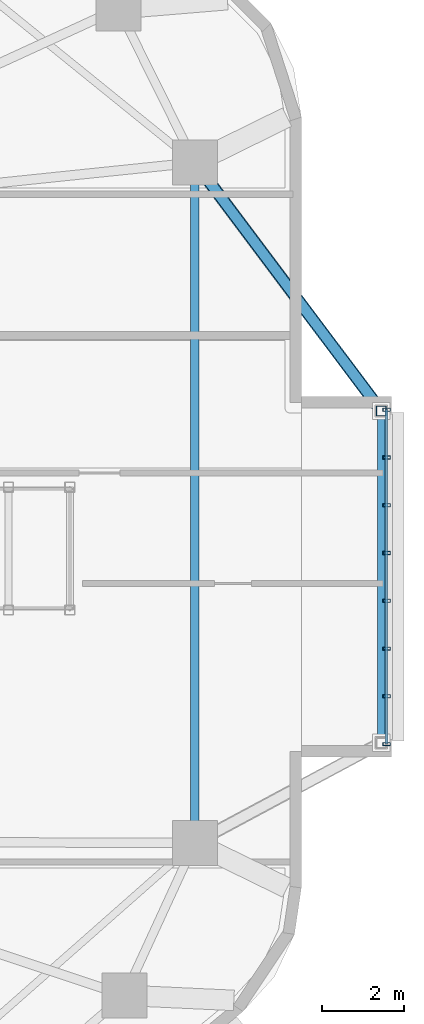
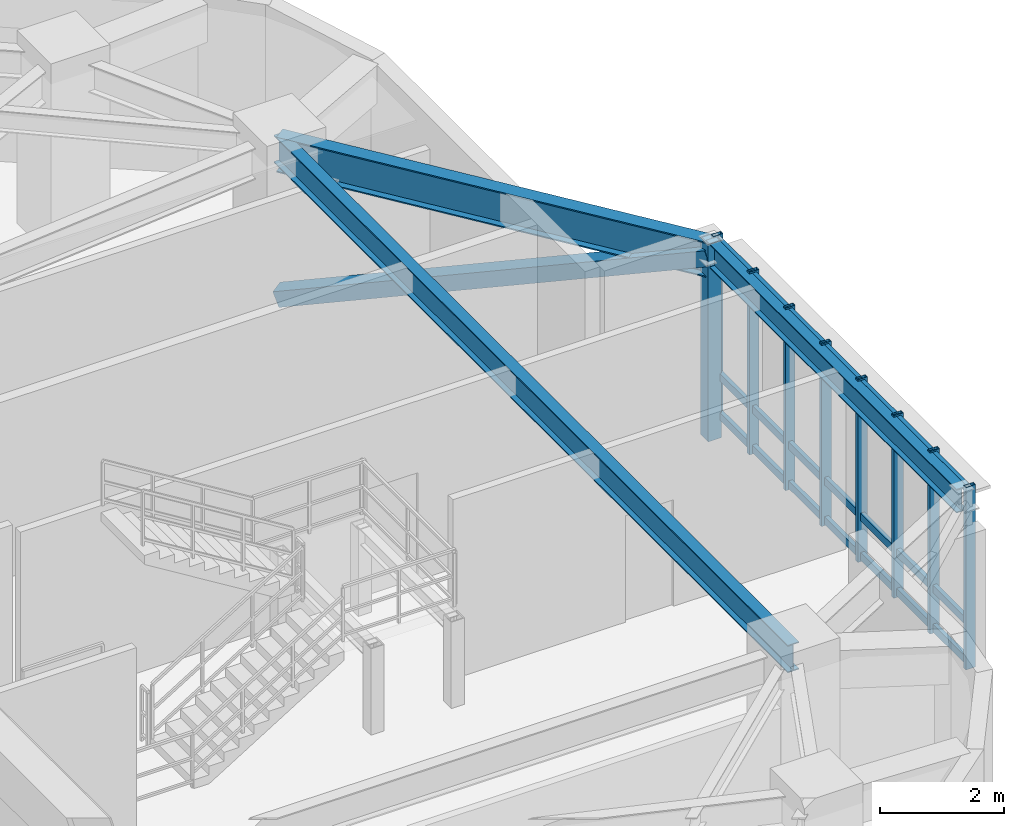
# One storey, part 6 of 16: 13 members, 3 beams, 1 element without a shape of its own.
"""IFC4 building model written with IfcOpenShell, lengths in metres."""

from ifc_helpers import new_model, si_unit, direction, frame, origin, origin_2d, place, context, subcontext, project, spatial, hollow_rectangle, i_section, extrude, material, material_profile, profile_set, type_object, element, aggregate, save


model = new_model("IFC4")

# Units and contexts
model_context = context("Model", 3, precision=1e-05, world=origin(), true_north=direction((0.0, 1.0)))
body_context = subcontext(model_context, "Body", "Model", "MODEL_VIEW")
ifc_project = project(units=[si_unit("LENGTHUNIT", "METRE"), si_unit("AREAUNIT", "SQUARE_METRE"), si_unit("VOLUMEUNIT", "CUBIC_METRE"), si_unit("PLANEANGLEUNIT", "RADIAN"), si_unit("MASSUNIT", "GRAM", prefix="KILO")], contexts=[model_context])

# Site, building, storey
site_placement = place(None, origin())
site = spatial("IfcSite", under=ifc_project, at=site_placement, CompositionType="ELEMENT")
building_placement = place(site_placement, origin())
building = spatial("IfcBuilding", under=site, at=building_placement, Name="Zulverin Broadcast Headquarters", CompositionType="ELEMENT")
storey_placement = place(building_placement, frame((0.0, 0.0, 125.0)))
storey = spatial("IfcBuildingStorey", under=building, at=storey_placement, Name="L31", CompositionType="ELEMENT", Elevation=125.0)

# Beams
ifc_material_1 = material(Name="Structural steel S355JR", Category="steel")
ifc_material_profile_1 = material_profile(ifc_material_1, i_section(OverallWidth=0.19287109375, OverallDepth=0.46728515625, WebThickness=0.011474609375, FlangeThickness=0.01953125, at=origin_2d()), Name="Structural steel S355JR", Category="steel")
ifc_profile_set_1 = profile_set([ifc_material_profile_1], Name="Structural steel S355JR")
beam_type_1 = type_object("IfcBeamType", Name="BM-UB-457", PredefinedType="JOIST", material=ifc_profile_set_1)
beam_1_placement = place(storey_placement, frame((65.14990234375, 19.9599609375, 3.306396484375), z_axis=(0.0, 1.0, 0.0), x_axis=(-1.0, 0.0, 0.0)))
element("IfcBeam", 1, at=beam_1_placement, inside=storey, type_object=beam_type_1, Name="L31 Studio Box Edge Beam SBOX_SKY1_E", PredefinedType="JOIST", context=body_context, shape_type="SweptSolid", body=[
    extrude(i_section(OverallWidth=0.19287109375, OverallDepth=0.46728515625, WebThickness=0.011474609375, FlangeThickness=0.01953125, at=origin_2d()), origin(), (0.0, 0.0, 1.0), 8.10009765625),
])
ifc_material_profile_2 = material_profile(ifc_material_1, i_section(OverallWidth=0.2119140625, OverallDepth=0.54443359375, WebThickness=0.0126953125, FlangeThickness=0.021240234375, at=origin_2d()), Name="Structural steel S355JR", Category="steel")
ifc_profile_set_2 = profile_set([ifc_material_profile_2], Name="Structural steel S355JR")
beam_type_2 = type_object("IfcBeamType", Name="BM-UB-533", PredefinedType="SPANDREL", material=ifc_profile_set_2)
beam_2_placement = place(storey_placement, frame((60.60009765625, 17.519287109375, 3.267578125), z_axis=(0.0, 1.0, 0.0), x_axis=(-1.0, 0.0, 0.0)))
element("IfcBeam", 2, at=beam_2_placement, inside=storey, type_object=beam_type_2, Name="L31 Perimeter Spandrel Beam SP-05", PredefinedType="SPANDREL", context=body_context, shape_type="SweptSolid", body=[
    extrude(i_section(OverallWidth=0.2119140625, OverallDepth=0.54443359375, WebThickness=0.0126953125, FlangeThickness=0.021240234375, at=origin_2d()), origin(), (0.0, 0.0, 1.0), 16.602294921875),
])
ifc_material_profile_3 = material_profile(ifc_material_1, i_section(OverallWidth=0.255859375, OverallDepth=0.69287109375, WebThickness=0.014404296875, FlangeThickness=0.023681640625, at=origin_2d()), Name="Structural steel S355JR", Category="steel")
ifc_profile_set_3 = profile_set([ifc_material_profile_3], Name="Structural steel S355JR")
beam_type_3 = type_object("IfcBeamType", Name="BM-UB-686", PredefinedType="BEAM", material=ifc_profile_set_3)
beam_3_placement = place(storey_placement, frame((60.60009765625, 34.12158203125, 3.193603515625), z_axis=(0.600309193651, -0.799768011374, 0.0), x_axis=(0.799768011374, 0.600309193651, 0.0)))
element("IfcBeam", 3, at=beam_3_placement, inside=storey, type_object=beam_type_3, Name="L31 Studio Box Cantilever Girder SBOX_SKY1_E-2", PredefinedType="BEAM", context=body_context, shape_type="SweptSolid", body=[
    extrude(i_section(OverallWidth=0.255859375, OverallDepth=0.69287109375, WebThickness=0.014404296875, FlangeThickness=0.023681640625, at=origin_2d()), origin(), (0.0, 0.0, 1.0), 7.5791015625),
])

# Curtain wall, members
ifc_material_2 = material(Name="Acoustic triple-glazed studio box curtain wall", Category="aluminium")
curtain_wall_type = type_object("IfcCurtainWallType", Name="CW-SBOX", PredefinedType="USERDEFINED", material=ifc_material_2)
curtain_wall_placement = place(storey_placement, origin())
curtain_wall = element("IfcCurtainWall", 4, at=curtain_wall_placement, inside=storey, type_object=curtain_wall_type, Name="L31 Unitised Curtain Wall CW-L31-SBOX_SKY1_E-F", ObjectType="UNITISED CURTAIN WALL", PredefinedType="USERDEFINED")
ifc_material_3 = material(Name="Anodized pale-metal aluminium alloy 6063-T6", Category="aluminium")
ifc_material_profile_4 = material_profile(ifc_material_3, hollow_rectangle(XDim=0.074951171875, YDim=0.179931640625, WallThickness=0.0048828125, at=origin_2d()), Name="Anodized pale-metal aluminium alloy 6063-T6", Category="aluminium")
ifc_profile_set_4 = profile_set([ifc_material_profile_4], Name="Anodized pale-metal aluminium alloy 6063-T6")
member_type_1 = type_object("IfcMemberType", Name="CW-MUL-180", PredefinedType="MULLION", material=ifc_profile_set_4)
member_1_placement = place(storey_placement, frame((65.280029296875, 19.929931640625, -0.030029296875), z_axis=(0.0, 0.0, 1.0), x_axis=(0.0, 1.0, 0.0)))
member_1 = element("IfcMember", 5, at=member_1_placement, type_object=member_type_1, Name="CW-L31-SBOX_SKY1_E-F Mullion 00", PredefinedType="MULLION", context=body_context, shape_type="SweptSolid", body=[
    extrude(hollow_rectangle(XDim=0.074951171875, YDim=0.179931640625, WallThickness=0.0048828125, at=origin_2d()), origin(), (0.0, 0.0, 1.0), 3.60009765625),
])
member_2_placement = place(storey_placement, frame((65.280029296875, 21.095703125, -0.030029296875), z_axis=(0.0, 0.0, 1.0), x_axis=(0.0, 1.0, 0.0)))
member_2 = element("IfcMember", 6, at=member_2_placement, type_object=member_type_1, Name="CW-L31-SBOX_SKY1_E-F Mullion 01", PredefinedType="MULLION", context=body_context, shape_type="SweptSolid", body=[
    extrude(hollow_rectangle(XDim=0.074951171875, YDim=0.179931640625, WallThickness=0.0048828125, at=origin_2d()), origin(), (0.0, 0.0, 1.0), 3.60009765625),
])
member_3_placement = place(storey_placement, frame((65.280029296875, 22.261474609375, -0.030029296875), z_axis=(0.0, 0.0, 1.0), x_axis=(0.0, 1.0, 0.0)))
member_3 = element("IfcMember", 7, at=member_3_placement, type_object=member_type_1, Name="CW-L31-SBOX_SKY1_E-F Mullion 02", PredefinedType="MULLION", context=body_context, shape_type="SweptSolid", body=[
    extrude(hollow_rectangle(XDim=0.074951171875, YDim=0.179931640625, WallThickness=0.0048828125, at=origin_2d()), origin(), (0.0, 0.0, 1.0), 3.60009765625),
])
member_4_placement = place(storey_placement, frame((65.280029296875, 23.427001953125, -0.030029296875), z_axis=(0.0, 0.0, 1.0), x_axis=(0.0, 1.0, 0.0)))
member_4 = element("IfcMember", 8, at=member_4_placement, type_object=member_type_1, Name="CW-L31-SBOX_SKY1_E-F Mullion 03", PredefinedType="MULLION", context=body_context, shape_type="SweptSolid", body=[
    extrude(hollow_rectangle(XDim=0.074951171875, YDim=0.179931640625, WallThickness=0.0048828125, at=origin_2d()), origin(), (0.0, 0.0, 1.0), 3.60009765625),
])
member_5_placement = place(storey_placement, frame((65.280029296875, 24.593017578125, -0.030029296875), z_axis=(0.0, 0.0, 1.0), x_axis=(0.0, 1.0, 0.0)))
member_5 = element("IfcMember", 9, at=member_5_placement, type_object=member_type_1, Name="CW-L31-SBOX_SKY1_E-F Mullion 04", PredefinedType="MULLION", context=body_context, shape_type="SweptSolid", body=[
    extrude(hollow_rectangle(XDim=0.074951171875, YDim=0.179931640625, WallThickness=0.0048828125, at=origin_2d()), origin(), (0.0, 0.0, 1.0), 3.60009765625),
])
member_6_placement = place(storey_placement, frame((65.280029296875, 25.758544921875, -0.030029296875), z_axis=(0.0, 0.0, 1.0), x_axis=(0.0, 1.0, 0.0)))
member_6 = element("IfcMember", 10, at=member_6_placement, type_object=member_type_1, Name="CW-L31-SBOX_SKY1_E-F Mullion 05", PredefinedType="MULLION", context=body_context, shape_type="SweptSolid", body=[
    extrude(hollow_rectangle(XDim=0.074951171875, YDim=0.179931640625, WallThickness=0.0048828125, at=origin_2d()), origin(), (0.0, 0.0, 1.0), 3.60009765625),
])
member_7_placement = place(storey_placement, frame((65.280029296875, 26.92431640625, -0.030029296875), z_axis=(0.0, 0.0, 1.0), x_axis=(0.0, 1.0, 0.0)))
member_7 = element("IfcMember", 11, at=member_7_placement, type_object=member_type_1, Name="CW-L31-SBOX_SKY1_E-F Mullion 06", PredefinedType="MULLION", context=body_context, shape_type="SweptSolid", body=[
    extrude(hollow_rectangle(XDim=0.074951171875, YDim=0.179931640625, WallThickness=0.0048828125, at=origin_2d()), origin(), (0.0, 0.0, 1.0), 3.60009765625),
])
member_8_placement = place(storey_placement, frame((65.280029296875, 28.090087890625, -0.030029296875), z_axis=(0.0, 0.0, 1.0), x_axis=(0.0, 1.0, 0.0)))
member_8 = element("IfcMember", 12, at=member_8_placement, type_object=member_type_1, Name="CW-L31-SBOX_SKY1_E-F Mullion 07", PredefinedType="MULLION", context=body_context, shape_type="SweptSolid", body=[
    extrude(hollow_rectangle(XDim=0.074951171875, YDim=0.179931640625, WallThickness=0.0048828125, at=origin_2d()), origin(), (0.0, 0.0, 1.0), 3.60009765625),
])
ifc_material_profile_5 = material_profile(ifc_material_3, hollow_rectangle(XDim=0.074951171875, YDim=0.14990234375, WallThickness=0.0048828125, at=origin_2d()), Name="Anodized pale-metal aluminium alloy 6063-T6", Category="aluminium")
ifc_profile_set_5 = profile_set([ifc_material_profile_5], Name="Anodized pale-metal aluminium alloy 6063-T6")
member_type_2 = type_object("IfcMemberType", Name="CW-TRN-150", PredefinedType="USERDEFINED", material=ifc_profile_set_5)
member_9_placement = place(storey_placement, frame((65.280029296875, 19.929931640625, 0.074951171875), z_axis=(0.0, 1.0, 0.0), x_axis=(-1.0, 0.0, 0.0)))
member_9 = element("IfcMember", 13, at=member_9_placement, type_object=member_type_2, Name="CW-L31-SBOX_SKY1_E-F Transom 0", ObjectType="TRANSOM", PredefinedType="USERDEFINED", context=body_context, shape_type="SweptSolid", body=[
    extrude(hollow_rectangle(XDim=0.074951171875, YDim=0.14990234375, WallThickness=0.0048828125, at=origin_2d()), origin(), (0.0, 0.0, 1.0), 8.16015625),
])
member_10_placement = place(storey_placement, frame((65.280029296875, 19.929931640625, 0.849609375), z_axis=(0.0, 1.0, 0.0), x_axis=(-1.0, 0.0, 0.0)))
member_10 = element("IfcMember", 14, at=member_10_placement, type_object=member_type_2, Name="CW-L31-SBOX_SKY1_E-F Transom 1", ObjectType="TRANSOM", PredefinedType="USERDEFINED", context=body_context, shape_type="SweptSolid", body=[
    extrude(hollow_rectangle(XDim=0.074951171875, YDim=0.14990234375, WallThickness=0.0048828125, at=origin_2d()), origin(), (0.0, 0.0, 1.0), 8.16015625),
])
member_11_placement = place(storey_placement, frame((65.280029296875, 19.929931640625, 3.465087890625), z_axis=(0.0, 1.0, 0.0), x_axis=(-1.0, 0.0, 0.0)))
member_11 = element("IfcMember", 15, at=member_11_placement, type_object=member_type_2, Name="CW-L31-SBOX_SKY1_E-F Transom 2", ObjectType="TRANSOM", PredefinedType="USERDEFINED", context=body_context, shape_type="SweptSolid", body=[
    extrude(hollow_rectangle(XDim=0.074951171875, YDim=0.14990234375, WallThickness=0.0048828125, at=origin_2d()), origin(), (0.0, 0.0, 1.0), 8.16015625),
])
aggregate(curtain_wall, [member_1, member_2, member_3, member_4, member_5, member_6, member_7, member_8, member_9, member_10, member_11])

# Members
ifc_material_profile_6 = material_profile(ifc_material_1, hollow_rectangle(XDim=0.300048828125, YDim=0.300048828125, WallThickness=0.01611328125, at=origin_2d()), Name="Structural steel S355JR", Category="steel")
ifc_profile_set_6 = profile_set([ifc_material_profile_6], Name="Structural steel S355JR")
member_type_3 = type_object("IfcMemberType", Name="MBR-BLT-DIAG1", PredefinedType="BRACE", material=ifc_profile_set_6)
member_12_placement = place(storey_placement, frame((60.60009765625, 34.12158203125, 0.35009765625), z_axis=(0.56091715606, -0.747287569793, 0.356276903643), x_axis=(0.799768011374, 0.600309193651, 0.0)))
element("IfcMember", 16, at=member_12_placement, inside=storey, type_object=member_type_3, Name="L31 Studio Box Raking Knee Brace SBOX_SKY1_E-2", PredefinedType="BRACE", context=body_context, shape_type="SweptSolid", body=[
    extrude(hollow_rectangle(XDim=0.300048828125, YDim=0.300048828125, WallThickness=0.01611328125, at=origin_2d()), origin(), (0.0, 0.0, 1.0), 8.111328125),
])
ifc_material_profile_7 = material_profile(ifc_material_1, hollow_rectangle(XDim=0.25, YDim=0.25, WallThickness=0.01611328125, at=origin_2d()), Name="Structural steel S355JR", Category="steel")
ifc_profile_set_7 = profile_set([ifc_material_profile_7], Name="Structural steel S355JR")
member_type_4 = type_object("IfcMemberType", Name="MBR-BLT-POST", PredefinedType="POST", material=ifc_profile_set_7)
member_13_placement = place(storey_placement, frame((65.14990234375, 28.06005859375, -0.35009765625), z_axis=(0.0, 0.0, 1.0), x_axis=(1.0, 0.0, 0.0)))
element("IfcMember", 17, at=member_13_placement, inside=storey, type_object=member_type_4, Name="L31 Shifted Studio Box Frame Post SBOX_SKY1_E-2", PredefinedType="POST", context=body_context, shape_type="SweptSolid", body=[
    extrude(hollow_rectangle(XDim=0.25, YDim=0.25, WallThickness=0.01611328125, at=origin_2d()), origin(), (0.0, 0.0, 1.0), 3.89013671875),
])

save(model, "model.ifc")
